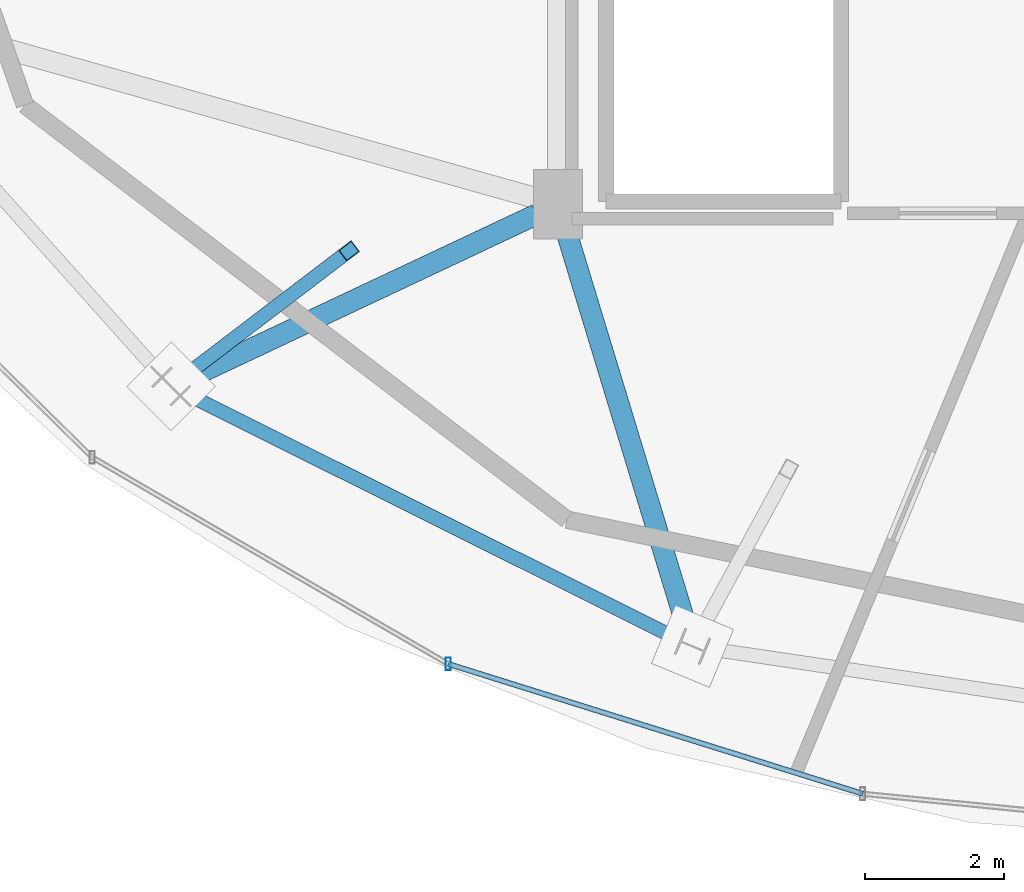
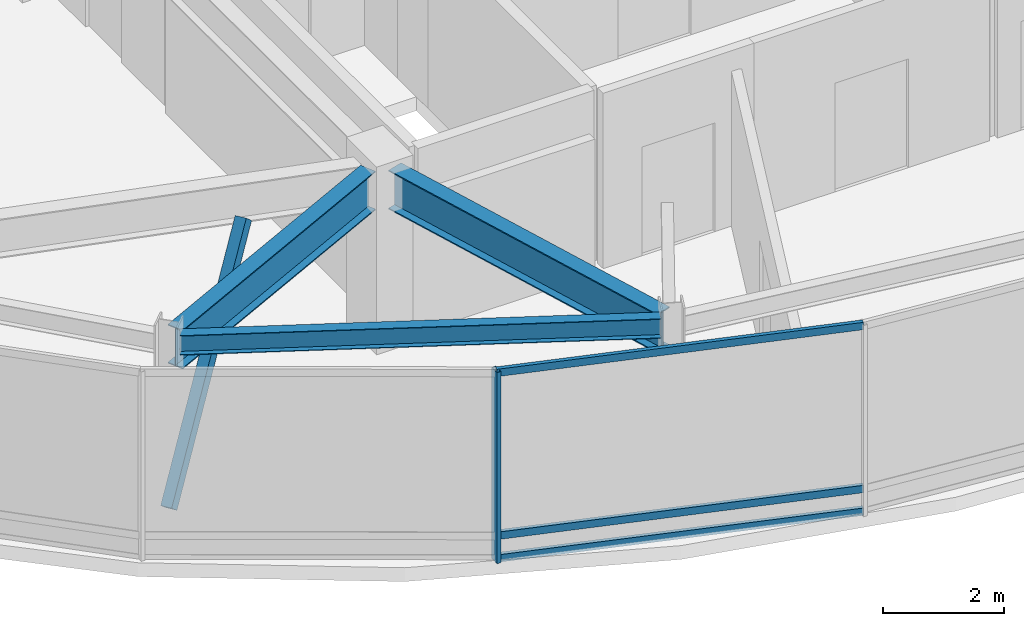
# One storey, part 3 of 28: 5 members, 3 beams, 1 element without a shape of its own.
"""IFC4 building model written with IfcOpenShell, lengths in metres."""

from ifc_helpers import new_model, si_unit, direction, frame, origin, origin_2d, place, context, subcontext, project, spatial, hollow_rectangle, i_section, extrude, material, material_profile, profile_set, type_object, element, aggregate, save


model = new_model("IFC4")

# Units and contexts
model_context = context("Model", 3, precision=1e-05, world=origin(), true_north=direction((0.0, 1.0)))
body_context = subcontext(model_context, "Body", "Model", "MODEL_VIEW")
ifc_project = project(units=[si_unit("LENGTHUNIT", "METRE"), si_unit("AREAUNIT", "SQUARE_METRE"), si_unit("VOLUMEUNIT", "CUBIC_METRE"), si_unit("PLANEANGLEUNIT", "RADIAN"), si_unit("MASSUNIT", "GRAM", prefix="KILO")], contexts=[model_context])

# Site, building, storey
site_placement = place(None, origin())
site = spatial("IfcSite", under=ifc_project, at=site_placement, CompositionType="ELEMENT")
building_placement = place(site_placement, origin())
building = spatial("IfcBuilding", under=site, at=building_placement, Name="Vorneva Point Tower", CompositionType="ELEMENT")
storey_placement = place(building_placement, frame((0.0, 0.0, 295.39990234375)))
storey = spatial("IfcBuildingStorey", under=building, at=storey_placement, Name="C01", CompositionType="ELEMENT", Elevation=295.39990234375)

# Beams
ifc_material_1 = material(Name="Steel S355", Category="steel")
ifc_material_profile_1 = material_profile(ifc_material_1, i_section(OverallWidth=0.300048828125, OverallDepth=0.7880859375, WebThickness=0.014404296875, FlangeThickness=0.02197265625, at=origin_2d()), Name="80Sh1")
ifc_profile_set_1 = profile_set([ifc_material_profile_1], Name="Steel S355")
beam_type_1 = type_object("IfcBeamType", Name="BM-GRD-80Sh1", PredefinedType="USERDEFINED", material=ifc_profile_set_1)
beam_1_placement = place(storey_placement, frame((21.871337890625, 13.91796875, 3.156005859375), z_axis=(0.90476143816, 0.425918701185, 0.0), x_axis=(-0.425918701185, 0.90476143816, 0.0)))
element("IfcBeam", 1, at=beam_1_placement, inside=storey, type_object=beam_type_1, Name="C01 Radial Primary Girder 11", ObjectType="GIRDER", PredefinedType="USERDEFINED", context=body_context, shape_type="SweptSolid", body=[
    extrude(i_section(OverallWidth=0.300048828125, OverallDepth=0.7880859375, WebThickness=0.014404296875, FlangeThickness=0.02197265625, at=origin_2d()), origin(), (0.0, 0.0, 1.0), 5.604736328125),
])
beam_2_placement = place(storey_placement, frame((29.12451171875, 10.289306640625, 3.156005859375), z_axis=(-0.291069236027, 0.956701991133, 0.0), x_axis=(-0.956701991133, -0.291069236027, 0.0)))
element("IfcBeam", 2, at=beam_2_placement, inside=storey, type_object=beam_type_1, Name="C01 Radial Primary Girder 12", ObjectType="GIRDER", PredefinedType="USERDEFINED", context=body_context, shape_type="SweptSolid", body=[
    extrude(i_section(OverallWidth=0.300048828125, OverallDepth=0.7880859375, WebThickness=0.014404296875, FlangeThickness=0.02197265625, at=origin_2d()), origin(), (0.0, 0.0, 1.0), 6.099609375),
])
ifc_material_profile_2 = material_profile(ifc_material_1, i_section(OverallWidth=0.198974609375, OverallDepth=0.39599609375, WebThickness=0.007080078125, FlangeThickness=0.010986328125, at=origin_2d()), Name="40B1")
ifc_profile_set_2 = profile_set([ifc_material_profile_2], Name="Steel S355")
beam_type_2 = type_object("IfcBeamType", Name="BM-SPN-40B1", PredefinedType="SPANDREL", material=ifc_profile_set_2)
beam_3_placement = place(storey_placement, frame((21.86669921875, 13.75537109375, 3.35205078125), z_axis=(0.894921902151, -0.446222802029, 0.0), x_axis=(0.446222802029, 0.894921902151, 0.0)))
element("IfcBeam", 3, at=beam_3_placement, inside=storey, type_object=beam_type_2, Name="C01 Perimeter Spandrel Ring Beam 11", PredefinedType="SPANDREL", context=body_context, shape_type="SweptSolid", body=[
    extrude(i_section(OverallWidth=0.198974609375, OverallDepth=0.39599609375, WebThickness=0.007080078125, FlangeThickness=0.010986328125, at=origin_2d()), origin(), (0.0, 0.0, 1.0), 7.98583984375),
])

# Curtain wall, members
ifc_material_2 = material(Name="Pale anodised aluminium", Category="aluminium")
curtain_wall_type = type_object("IfcCurtainWallType", Name="CW-CRN-SYS", PredefinedType="NOTDEFINED", material=ifc_material_2)
curtain_wall_placement = place(storey_placement, origin())
curtain_wall = element("IfcCurtainWall", 4, at=curtain_wall_placement, inside=storey, type_object=curtain_wall_type, Name="C01 Unitised Curtain Wall CW-C01-Q3", PredefinedType="NOTDEFINED")
ifc_material_profile_3 = material_profile(ifc_material_2, hollow_rectangle(XDim=0.074951171875, YDim=0.179931640625, WallThickness=0.00390625, at=origin_2d()), Name="AL-MUL 180x75x4")
ifc_profile_set_3 = profile_set([ifc_material_profile_3], Name="Pale anodised aluminium")
member_type_1 = type_object("IfcMemberType", Name="CW-MUL-180", PredefinedType="MULLION", material=ifc_profile_set_3)
member_1_placement = place(storey_placement, frame((25.675048828125, 9.857421875, -0.039794921875), z_axis=(0.0, 0.0, 1.0), x_axis=(1.0, 0.0, 0.0)))
member_1 = element("IfcMember", 5, at=member_1_placement, type_object=member_type_1, Name="CW-C01-Q3 Mullion 05", PredefinedType="MULLION", context=body_context, shape_type="SweptSolid", body=[
    extrude(hollow_rectangle(XDim=0.074951171875, YDim=0.179931640625, WallThickness=0.00390625, at=origin_2d()), origin(), (0.0, 0.0, 1.0), 3.869873046875),
])
ifc_material_profile_4 = material_profile(ifc_material_2, hollow_rectangle(XDim=0.074951171875, YDim=0.14990234375, WallThickness=0.00390625, at=origin_2d()), Name="AL-TRN 150x75x4")
ifc_profile_set_4 = profile_set([ifc_material_profile_4], Name="Pale anodised aluminium")
member_type_2 = type_object("IfcMemberType", Name="CW-TRN-150", PredefinedType="USERDEFINED", material=ifc_profile_set_4)
member_2_placement = place(storey_placement, frame((25.675048828125, 9.857421875, 0.02001953125), z_axis=(0.954275444767, -0.298928713099, 0.0), x_axis=(0.298928713099, 0.954275444767, 0.0)))
member_2 = element("IfcMember", 6, at=member_2_placement, type_object=member_type_2, Name="CW-C01-Q3 Transom 05.1", ObjectType="TRANSOM", PredefinedType="USERDEFINED", context=body_context, shape_type="SweptSolid", body=[
    extrude(hollow_rectangle(XDim=0.074951171875, YDim=0.14990234375, WallThickness=0.00390625, at=origin_2d()), origin(), (0.0, 0.0, 1.0), 6.22998046875),
])
member_3_placement = place(storey_placement, frame((25.675048828125, 9.857421875, 0.47998046875), z_axis=(0.954275444767, -0.298928713099, 0.0), x_axis=(0.298928713099, 0.954275444767, 0.0)))
member_3 = element("IfcMember", 7, at=member_3_placement, type_object=member_type_2, Name="CW-C01-Q3 Transom 05.2", ObjectType="TRANSOM", PredefinedType="USERDEFINED", context=body_context, shape_type="SweptSolid", body=[
    extrude(hollow_rectangle(XDim=0.074951171875, YDim=0.14990234375, WallThickness=0.00390625, at=origin_2d()), origin(), (0.0, 0.0, 1.0), 6.22998046875),
])
member_4_placement = place(storey_placement, frame((25.675048828125, 9.857421875, 3.780029296875), z_axis=(0.954275444767, -0.298928713099, 0.0), x_axis=(0.298928713099, 0.954275444767, 0.0)))
member_4 = element("IfcMember", 8, at=member_4_placement, type_object=member_type_2, Name="CW-C01-Q3 Transom 05.3", ObjectType="TRANSOM", PredefinedType="USERDEFINED", context=body_context, shape_type="SweptSolid", body=[
    extrude(hollow_rectangle(XDim=0.074951171875, YDim=0.14990234375, WallThickness=0.00390625, at=origin_2d()), origin(), (0.0, 0.0, 1.0), 6.22998046875),
])
aggregate(curtain_wall, [member_1, member_2, member_3, member_4])

# Member
ifc_material_profile_5 = material_profile(ifc_material_1, hollow_rectangle(XDim=0.199951171875, YDim=0.300048828125, WallThickness=0.011962890625, at=origin_2d()), Name="PP 300x200x12")
ifc_profile_set_5 = profile_set([ifc_material_profile_5], Name="Steel S355")
member_type_3 = type_object("IfcMemberType", Name="MBR-CRN-PP300", PredefinedType="CHORD", material=ifc_profile_set_5)
member_5_placement = place(storey_placement, frame((21.701171875, 13.837890625, 0.0), z_axis=(0.513033981521, 0.390985897496, 0.764150614581), x_axis=(-0.606144108683, 0.795354838741, 0.0)))
element("IfcMember", 9, at=member_5_placement, inside=storey, type_object=member_type_3, Name="Crown Tapered Frame Rib C01-11", PredefinedType="CHORD", context=body_context, shape_type="SweptSolid", body=[
    extrude(hollow_rectangle(XDim=0.199951171875, YDim=0.300048828125, WallThickness=0.011962890625, at=origin_2d()), origin(), (0.0, 0.0, 1.0), 4.972900390625),
])

save(model, "model.ifc")
